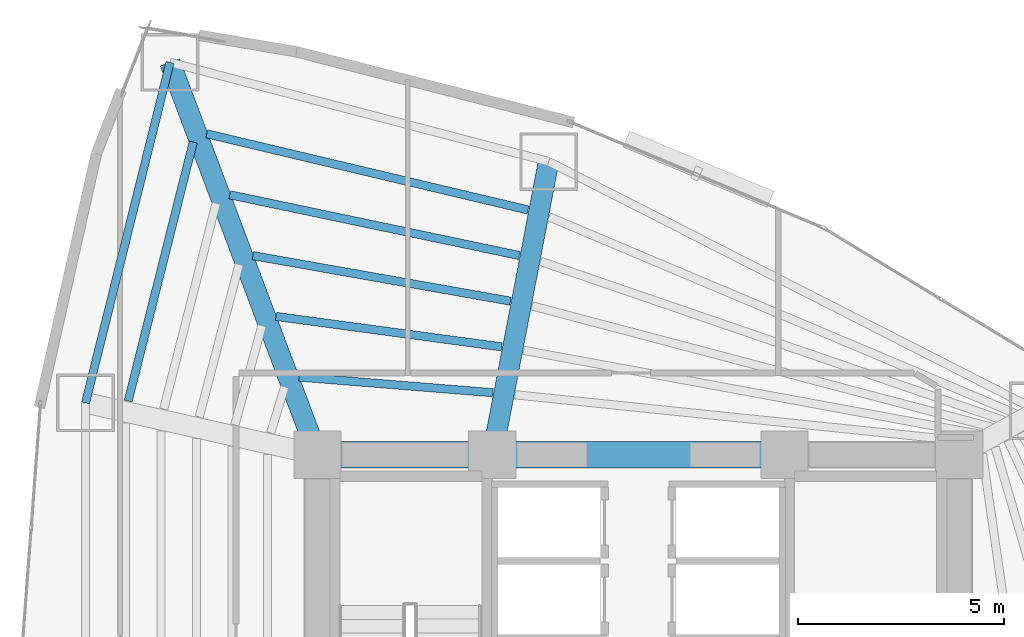
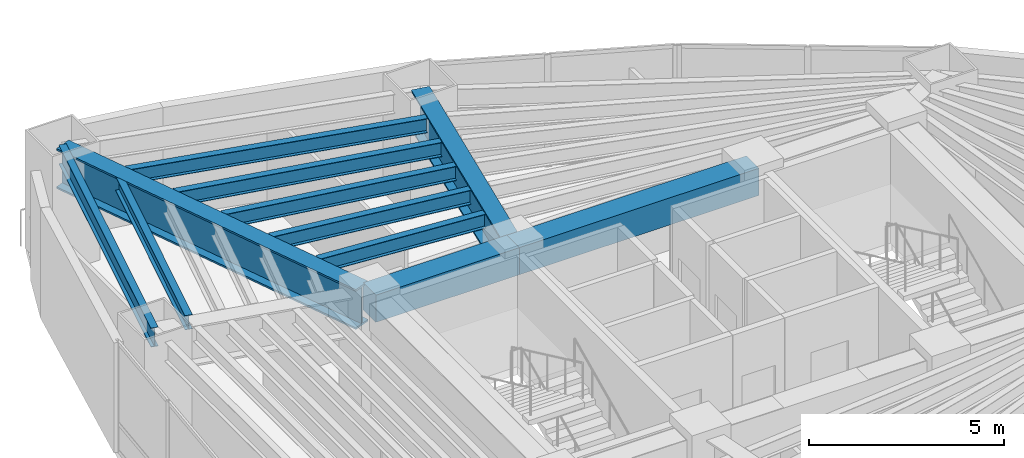
# One storey, part 8 of 18: 11 beams.
"""IFC4 building model written with IfcOpenShell, lengths in metres."""

from ifc_helpers import new_model, si_unit, direction, frame, origin, origin_2d, place, context, subcontext, project, spatial, rectangle, i_section, extrude, material, material_profile, profile_set, type_object, element, save


model = new_model("IFC4")

# Units and contexts
model_context = context("Model", 3, precision=1e-05, world=origin(), true_north=direction((0.0, 1.0)))
body_context = subcontext(model_context, "Body", "Model", "MODEL_VIEW")
ifc_project = project(units=[si_unit("LENGTHUNIT", "METRE"), si_unit("AREAUNIT", "SQUARE_METRE"), si_unit("VOLUMEUNIT", "CUBIC_METRE"), si_unit("PLANEANGLEUNIT", "RADIAN"), si_unit("MASSUNIT", "GRAM", prefix="KILO")], contexts=[model_context])

# Site, building, storey
site_placement = place(None, origin())
site = spatial("IfcSite", under=ifc_project, at=site_placement, CompositionType="ELEMENT")
building_placement = place(site_placement, origin())
building = spatial("IfcBuilding", under=site, at=building_placement, Name="Menara Vayukalpa", CompositionType="ELEMENT")
storey_placement = place(building_placement, frame((0.0, 0.0, 53.639892578125)))
storey = spatial("IfcBuildingStorey", under=building, at=storey_placement, Name="L12", CompositionType="ELEMENT", Elevation=53.639892578125)

# Beams
ifc_material_1 = material(Name="Concrete C60/75", Category="concrete")
ifc_material_profile_1 = material_profile(ifc_material_1, rectangle(XDim=0.64990234375, YDim=0.85009765625, at=origin_2d()), Name="RC 650x850")
ifc_profile_set_1 = profile_set([ifc_material_profile_1], Name="Concrete C60/75")
beam_type_1 = type_object("IfcBeamType", Name="BM-CB1", PredefinedType="BEAM", material=ifc_profile_set_1)
beam_1_placement = place(storey_placement, frame((17.800048828125, 26.800048828125, 3.01513671875), z_axis=(1.0, 0.0, 0.0), x_axis=(0.0, 1.0, 0.0)))
element("IfcBeam", 1, at=beam_1_placement, inside=storey, type_object=beam_type_1, Name="L12 Core Tie Beam CBR4", PredefinedType="BEAM", context=body_context, shape_type="SweptSolid", body=[
    extrude(rectangle(XDim=0.64990234375, YDim=0.85009765625, at=origin_2d()), origin(), (0.0, 0.0, 1.0), 4.25),
])
beam_2_placement = place(storey_placement, frame((22.050048828125, 26.800048828125, 3.01513671875), z_axis=(1.0, 0.0, 0.0), x_axis=(0.0, 1.0, 0.0)))
element("IfcBeam", 2, at=beam_2_placement, inside=storey, type_object=beam_type_1, Name="L12 Core Tie Beam CBR5", PredefinedType="BEAM", context=body_context, shape_type="SweptSolid", body=[
    extrude(rectangle(XDim=0.64990234375, YDim=0.85009765625, at=origin_2d()), origin(), (0.0, 0.0, 1.0), 7.099853515625),
])
ifc_material_2 = material(Name="Steel S355", Category="steel")
ifc_material_profile_2 = material_profile(ifc_material_2, i_section(OverallWidth=0.199951171875, OverallDepth=0.449951171875, WebThickness=0.009033203125, FlangeThickness=0.013916015625, at=origin_2d()), Name="WF 450x200x9x14")
ifc_profile_set_2 = profile_set([ifc_material_profile_2], Name="Steel S355")
beam_type_2 = type_object("IfcBeamType", Name="BM-SJ1", PredefinedType="JOIST", material=ifc_profile_set_2)
beam_3_placement = place(storey_placement, frame((22.066162109375, 28.30517578125, 3.215087890625), z_axis=(-0.996747790035, 0.080584384724, 0.0), x_axis=(-0.080584384724, -0.996747790035, 0.0)))
element("IfcBeam", 3, at=beam_3_placement, inside=storey, type_object=beam_type_2, Name="L12 Secondary Floor Joist SJ03-1", PredefinedType="JOIST", context=body_context, shape_type="SweptSolid", body=[
    extrude(i_section(OverallWidth=0.199951171875, OverallDepth=0.449951171875, WebThickness=0.009033203125, FlangeThickness=0.013916015625, at=origin_2d()), origin(), (0.0, 0.0, 1.0), 4.729248046875),
])
beam_4_placement = place(storey_placement, frame((22.279296875, 29.419921875, 3.215087890625), z_axis=(-0.991030817188, 0.133633526421, 0.0), x_axis=(-0.133633526421, -0.991030817188, 0.0)))
element("IfcBeam", 4, at=beam_4_placement, inside=storey, type_object=beam_type_2, Name="L12 Secondary Floor Joist SJ03-2", PredefinedType="JOIST", context=body_context, shape_type="SweptSolid", body=[
    extrude(i_section(OverallWidth=0.199951171875, OverallDepth=0.449951171875, WebThickness=0.009033203125, FlangeThickness=0.013916015625, at=origin_2d()), origin(), (0.0, 0.0, 1.0), 5.537353515625),
])
beam_5_placement = place(storey_placement, frame((22.492431640625, 30.531005859375, 3.215087890625), z_axis=(-0.984751460424, 0.173967126762, 0.0), x_axis=(-0.173967126762, -0.984751460424, 0.0)))
element("IfcBeam", 5, at=beam_5_placement, inside=storey, type_object=beam_type_2, Name="L12 Secondary Floor Joist SJ03-3", PredefinedType="JOIST", context=body_context, shape_type="SweptSolid", body=[
    extrude(i_section(OverallWidth=0.199951171875, OverallDepth=0.449951171875, WebThickness=0.009033203125, FlangeThickness=0.013916015625, at=origin_2d()), origin(), (0.0, 0.0, 1.0), 6.358642578125),
])
beam_6_placement = place(storey_placement, frame((22.70556640625, 31.639892578125, 3.215087890625), z_axis=(-0.978672481138, 0.205426810965, 0.0), x_axis=(-0.205426810965, -0.978672481138, 0.0)))
element("IfcBeam", 6, at=beam_6_placement, inside=storey, type_object=beam_type_2, Name="L12 Secondary Floor Joist SJ03-4", PredefinedType="JOIST", context=body_context, shape_type="SweptSolid", body=[
    extrude(i_section(OverallWidth=0.199951171875, OverallDepth=0.449951171875, WebThickness=0.009033203125, FlangeThickness=0.013916015625, at=origin_2d()), origin(), (0.0, 0.0, 1.0), 7.18896484375),
])
beam_7_placement = place(storey_placement, frame((22.918701171875, 32.747314453125, 3.215087890625), z_axis=(-0.973045268303, 0.23061419261, 0.0), x_axis=(-0.23061419261, -0.973045268303, 0.0)))
element("IfcBeam", 7, at=beam_7_placement, inside=storey, type_object=beam_type_2, Name="L12 Secondary Floor Joist SJ03-5", PredefinedType="JOIST", context=body_context, shape_type="SweptSolid", body=[
    extrude(i_section(OverallWidth=0.199951171875, OverallDepth=0.449951171875, WebThickness=0.009033203125, FlangeThickness=0.013916015625, at=origin_2d()), origin(), (0.0, 0.0, 1.0), 8.025634765625),
])
beam_8_placement = place(storey_placement, frame((14.781005859375, 34.3984375, 3.215087890625), z_axis=(-0.243562337974, -0.969885244511, 0.0), x_axis=(0.969885244511, -0.243562337974, 0.0)))
element("IfcBeam", 8, at=beam_8_placement, inside=storey, type_object=beam_type_2, Name="L12 Secondary Floor Joist SJ04-5", PredefinedType="JOIST", context=body_context, shape_type="SweptSolid", body=[
    extrude(i_section(OverallWidth=0.199951171875, OverallDepth=0.449951171875, WebThickness=0.009033203125, FlangeThickness=0.013916015625, at=origin_2d()), origin(), (0.0, 0.0, 1.0), 6.4892578125),
])
ifc_material_3 = material(Name="Steel S355", Category="steel")
ifc_material_profile_3 = material_profile(ifc_material_3, i_section(OverallWidth=0.199951171875, OverallDepth=0.60009765625, WebThickness=0.010986328125, FlangeThickness=0.01708984375, at=origin_2d()), Name="WF 600x200x11x17")
ifc_profile_set_3 = profile_set([ifc_material_profile_3], Name="Steel S355")
beam_type_3 = type_object("IfcBeamType", Name="BM-SP1", PredefinedType="SPANDREL", material=ifc_profile_set_3)
beam_9_placement = place(storey_placement, frame((14.217529296875, 36.33447265625, 3.14013671875), z_axis=(-0.240823860364, -0.970568837476, 0.0), x_axis=(0.970568837476, -0.240823860364, 0.0)))
element("IfcBeam", 9, at=beam_9_placement, inside=storey, type_object=beam_type_3, Name="L12 Perimeter Spandrel Beam SP04", PredefinedType="SPANDREL", context=body_context, shape_type="SweptSolid", body=[
    extrude(i_section(OverallWidth=0.199951171875, OverallDepth=0.60009765625, WebThickness=0.010986328125, FlangeThickness=0.01708984375, at=origin_2d()), origin(), (0.0, 0.0, 1.0), 8.52587890625),
])
ifc_material_4 = material(Name="Steel S460", Category="steel")
ifc_material_profile_4 = material_profile(ifc_material_4, i_section(OverallWidth=0.5, OverallDepth=1.25, WebThickness=0.028076171875, FlangeThickness=0.054931640625, at=origin_2d()), Name="WG 1250x500x28x55")
ifc_profile_set_4 = profile_set([ifc_material_profile_4], Name="Steel S460")
beam_type_4 = type_object("IfcBeamType", Name="BM-TG2", PredefinedType="BEAM", material=ifc_profile_set_4)
beam_10_placement = place(storey_placement, frame((22.09716796875, 27.04541015625, 2.815185546875), z_axis=(0.188803432672, 0.982014899995, 0.0), x_axis=(-0.982014899995, 0.188803432672, 0.0)))
element("IfcBeam", 10, at=beam_10_placement, inside=storey, type_object=beam_type_4, Name="L12 Primary Radial Girder RG03", PredefinedType="BEAM", context=body_context, shape_type="SweptSolid", body=[
    extrude(i_section(OverallWidth=0.5, OverallDepth=1.25, WebThickness=0.028076171875, FlangeThickness=0.054931640625, at=origin_2d()), origin(), (0.0, 0.0, 1.0), 7.00341796875),
])
beam_11_placement = place(storey_placement, frame((17.712158203125, 27.033935546875, 2.815185546875), z_axis=(-0.351734656537, 0.93609974436, 0.0), x_axis=(-0.93609974436, -0.351734656537, 0.0)))
element("IfcBeam", 11, at=beam_11_placement, inside=storey, type_object=beam_type_4, Name="L12 Primary Radial Girder RG04", PredefinedType="BEAM", context=body_context, shape_type="SweptSolid", body=[
    extrude(i_section(OverallWidth=0.5, OverallDepth=1.25, WebThickness=0.028076171875, FlangeThickness=0.054931640625, at=origin_2d()), origin(), (0.0, 0.0, 1.0), 9.935302734375),
])

save(model, "model.ifc")
